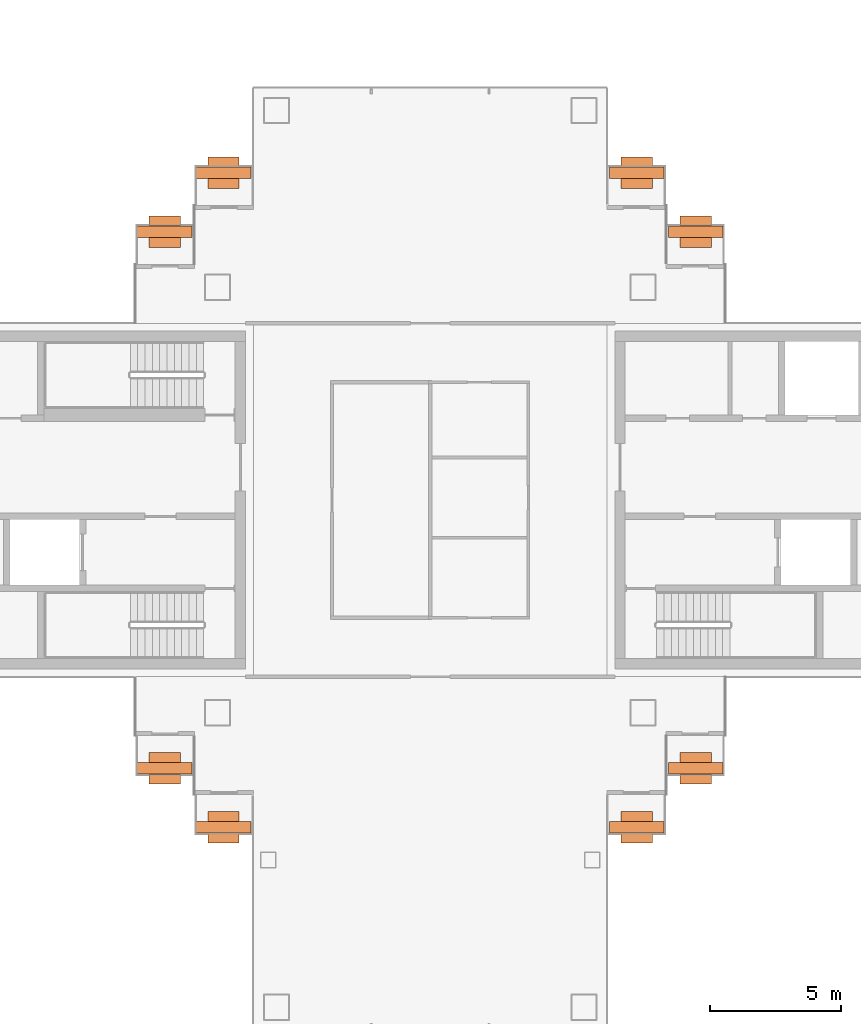
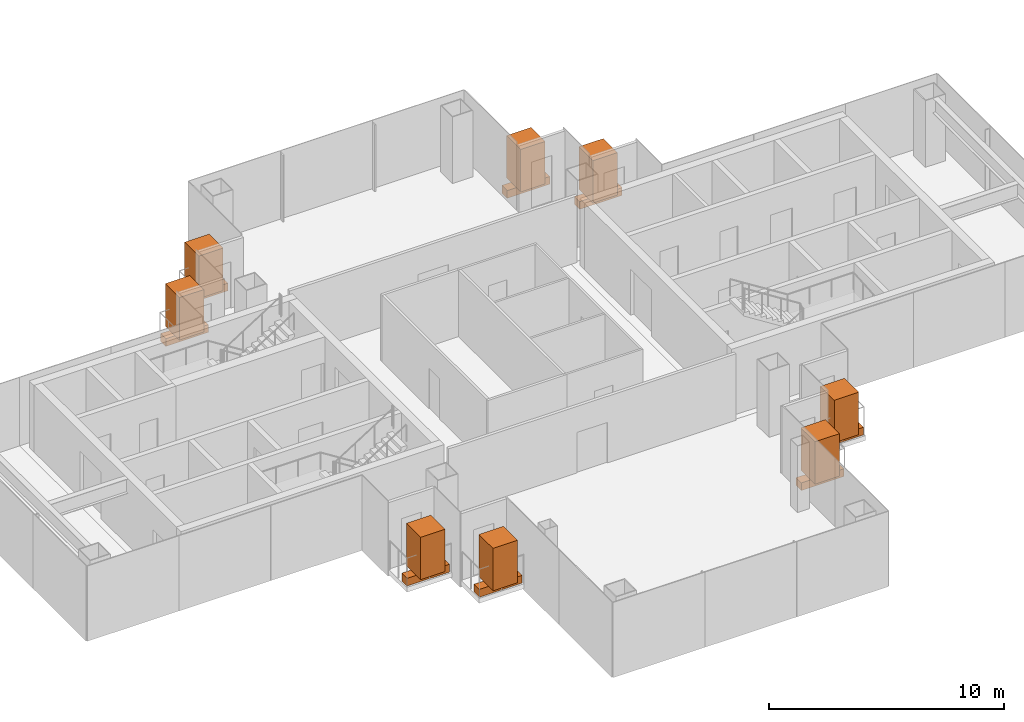
# One storey, part 17 of 17: 8 geographic elements, 8 proxies.
"""IFC4 building model written with IfcOpenShell, lengths in metres."""

from ifc_helpers import new_model, si_unit, direction, frame, origin, origin_2d, place, context, subcontext, project, spatial, rectangle, extrude, material, type_object, element, save


model = new_model("IFC4")

# Units and contexts
model_context = context("Model", 3, precision=1e-05, world=origin(), true_north=direction((0.0, 1.0)))
body_context = subcontext(model_context, "Body", "Model", "MODEL_VIEW")
ifc_project = project(units=[si_unit("LENGTHUNIT", "METRE"), si_unit("AREAUNIT", "SQUARE_METRE"), si_unit("VOLUMEUNIT", "CUBIC_METRE"), si_unit("PLANEANGLEUNIT", "RADIAN"), si_unit("MASSUNIT", "GRAM", prefix="KILO")], contexts=[model_context])

# Site, building, storey
site_placement = place(None, origin())
site = spatial("IfcSite", under=ifc_project, at=site_placement, CompositionType="ELEMENT")
building_placement = place(site_placement, origin())
building = spatial("IfcBuilding", under=site, at=building_placement, Name="Shamsa Quay Exchange Towers", CompositionType="ELEMENT")
storey_placement = place(building_placement, frame((0.0, 0.0, 221.699951171875)))
storey = spatial("IfcBuildingStorey", under=building, at=storey_placement, Name="L53", CompositionType="ELEMENT", Elevation=221.699951171875)

# Proxies
ifc_material_1 = material(Name="Reinforced concrete C30/37, black glass-fibre faced", Category="concrete")
building_element_proxy_type = type_object("IfcBuildingElementProxyType", Name="BALCONY PLANTER", PredefinedType="USERDEFINED", material=ifc_material_1)
for number, where, z_axis, x_axis, name in (
    (1, (-23.60595703125, 10.2451171875, 0.0), (0.0, 0.0, 1.0), (-1.0, 0.0, 0.0), "PLANTER T1-PKEN L53"),
    (2, (-25.85595703125, 12.4951171875, 0.0), (0.0, 0.0, 1.0), (-1.0, 0.0, 0.0), "PLANTER T1-PKEN L53"),
):
    element("IfcBuildingElementProxy", number, at=place(storey_placement, frame(where, z_axis=z_axis, x_axis=x_axis)), inside=storey, type_object=building_element_proxy_type, Name=name, ObjectType="PLANTER", PredefinedType="USERDEFINED", context=body_context, shape_type="SweptSolid", body=[
        extrude(rectangle(XDim=2.092041015625, YDim=0.449951171875, at=origin_2d()), origin(), (0.0, 0.0, 1.0), 0.39990234375),
    ])
for number, where, name in (
    (3, (-23.60595703125, -10.2451171875, 0.0), "PLANTER T1-PKES L53"),
    (4, (-25.85595703125, -12.4951171875, 0.0), "PLANTER T1-PKES L53"),
):
    element("IfcBuildingElementProxy", number, at=place(storey_placement, frame(where)), inside=storey, type_object=building_element_proxy_type, Name=name, ObjectType="PLANTER", PredefinedType="USERDEFINED", context=body_context, shape_type="SweptSolid", body=[
        extrude(rectangle(XDim=2.092041015625, YDim=0.449951171875, at=origin_2d()), origin(), (0.0, 0.0, 1.0), 0.39990234375),
    ])
for number, where, z_axis, x_axis, name in (
    (5, (-41.64404296875, 12.4951171875, 0.0), (0.0, 0.0, 1.0), (-1.0, 0.0, 0.0), "PLANTER T1-PKWN L53"),
    (6, (-43.89404296875, 10.2451171875, 0.0), (0.0, 0.0, 1.0), (-1.0, 0.0, 0.0), "PLANTER T1-PKWN L53"),
):
    element("IfcBuildingElementProxy", number, at=place(storey_placement, frame(where, z_axis=z_axis, x_axis=x_axis)), inside=storey, type_object=building_element_proxy_type, Name=name, ObjectType="PLANTER", PredefinedType="USERDEFINED", context=body_context, shape_type="SweptSolid", body=[
        extrude(rectangle(XDim=2.092041015625, YDim=0.449951171875, at=origin_2d()), origin(), (0.0, 0.0, 1.0), 0.39990234375),
    ])
for number, where, name in (
    (7, (-43.89404296875, -10.2451171875, 0.0), "PLANTER T1-PKWS L53"),
    (8, (-41.64404296875, -12.4951171875, 0.0), "PLANTER T1-PKWS L53"),
):
    element("IfcBuildingElementProxy", number, at=place(storey_placement, frame(where)), inside=storey, type_object=building_element_proxy_type, Name=name, ObjectType="PLANTER", PredefinedType="USERDEFINED", context=body_context, shape_type="SweptSolid", body=[
        extrude(rectangle(XDim=2.092041015625, YDim=0.449951171875, at=origin_2d()), origin(), (0.0, 0.0, 1.0), 0.39990234375),
    ])

# Geographic elements
ifc_material_2 = material(Name="Planting")
geographic_element_type = type_object("IfcGeographicElementType", Name="BALCONY TREE", PredefinedType="USERDEFINED", material=ifc_material_2)
for number, where, z_axis, x_axis, name in (
    (9, (-23.60595703125, 10.2451171875, 0.39990234375), (0.0, 0.0, 1.0), (-1.0, 0.0, 0.0), "TREE T1-PKEN L53"),
    (10, (-25.85595703125, 12.4951171875, 0.39990234375), (0.0, 0.0, 1.0), (-1.0, 0.0, 0.0), "TREE T1-PKEN L53"),
):
    element("IfcGeographicElement", number, at=place(storey_placement, frame(where, z_axis=z_axis, x_axis=x_axis)), inside=storey, type_object=geographic_element_type, Name=name, ObjectType="TREE", PredefinedType="USERDEFINED", context=body_context, shape_type="SweptSolid", body=[
        extrude(rectangle(XDim=1.199951171875, YDim=1.199951171875, at=origin_2d()), origin(), (0.0, 0.0, 1.0), 2.199951171875),
    ])
for number, where, name in (
    (11, (-23.60595703125, -10.2451171875, 0.39990234375), "TREE T1-PKES L53"),
    (12, (-25.85595703125, -12.4951171875, 0.39990234375), "TREE T1-PKES L53"),
):
    element("IfcGeographicElement", number, at=place(storey_placement, frame(where)), inside=storey, type_object=geographic_element_type, Name=name, ObjectType="TREE", PredefinedType="USERDEFINED", context=body_context, shape_type="SweptSolid", body=[
        extrude(rectangle(XDim=1.199951171875, YDim=1.199951171875, at=origin_2d()), origin(), (0.0, 0.0, 1.0), 2.199951171875),
    ])
for number, where, z_axis, x_axis, name in (
    (13, (-41.64404296875, 12.4951171875, 0.39990234375), (0.0, 0.0, 1.0), (-1.0, 0.0, 0.0), "TREE T1-PKWN L53"),
    (14, (-43.89404296875, 10.2451171875, 0.39990234375), (0.0, 0.0, 1.0), (-1.0, 0.0, 0.0), "TREE T1-PKWN L53"),
):
    element("IfcGeographicElement", number, at=place(storey_placement, frame(where, z_axis=z_axis, x_axis=x_axis)), inside=storey, type_object=geographic_element_type, Name=name, ObjectType="TREE", PredefinedType="USERDEFINED", context=body_context, shape_type="SweptSolid", body=[
        extrude(rectangle(XDim=1.199951171875, YDim=1.199951171875, at=origin_2d()), origin(), (0.0, 0.0, 1.0), 2.199951171875),
    ])
for number, where, name in (
    (15, (-43.89404296875, -10.2451171875, 0.39990234375), "TREE T1-PKWS L53"),
    (16, (-41.64404296875, -12.4951171875, 0.39990234375), "TREE T1-PKWS L53"),
):
    element("IfcGeographicElement", number, at=place(storey_placement, frame(where)), inside=storey, type_object=geographic_element_type, Name=name, ObjectType="TREE", PredefinedType="USERDEFINED", context=body_context, shape_type="SweptSolid", body=[
        extrude(rectangle(XDim=1.199951171875, YDim=1.199951171875, at=origin_2d()), origin(), (0.0, 0.0, 1.0), 2.199951171875),
    ])

save(model, "model.ifc")
